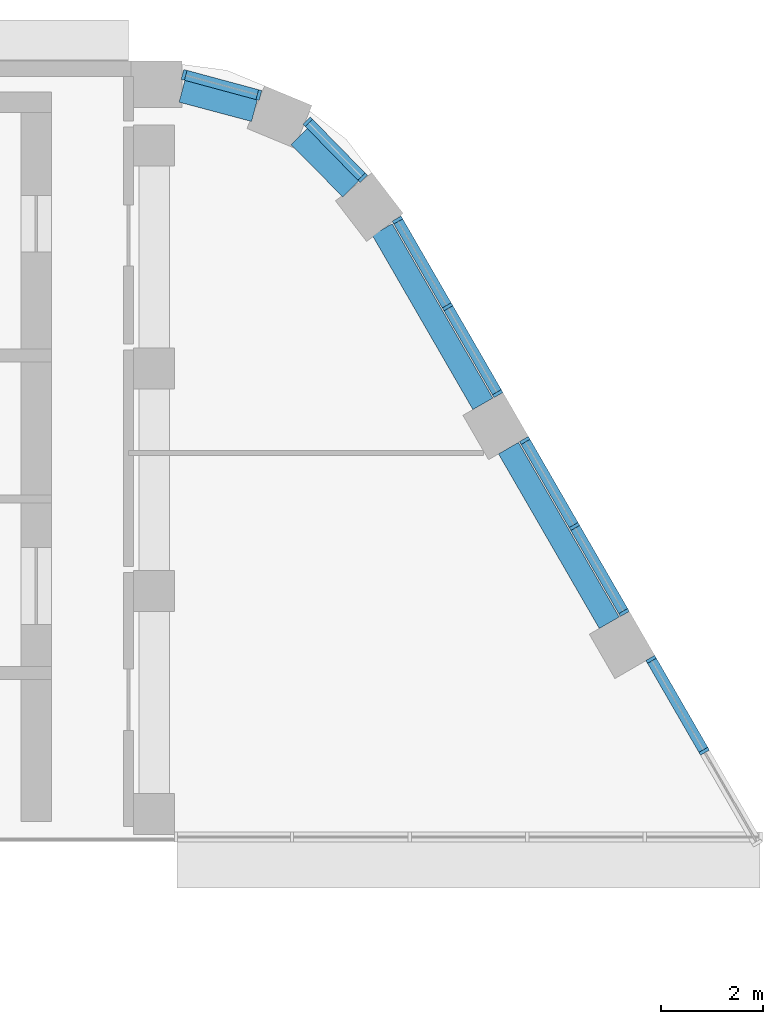
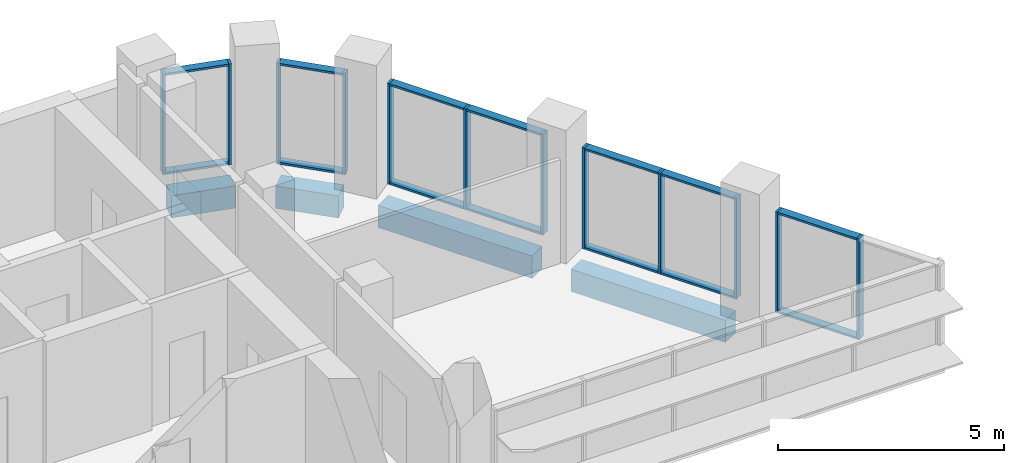
# One storey, part 6 of 14: 26 members, 4 beams, 5 elements without a shape of their own.
"""IFC4 building model written with IfcOpenShell, lengths in metres."""

from ifc_helpers import new_model, si_unit, direction, frame, origin, origin_2d, place, context, subcontext, project, spatial, rectangle, extrude, material, layer, layer_set, material_profile, profile_set, type_object, element, aggregate, save


model = new_model("IFC4")

# Units and contexts
model_context = context("Model", 3, precision=1e-05, world=origin(), true_north=direction((0.0, 1.0)))
body_context = subcontext(model_context, "Body", "Model", "MODEL_VIEW")
ifc_project = project(units=[si_unit("LENGTHUNIT", "METRE"), si_unit("AREAUNIT", "SQUARE_METRE"), si_unit("VOLUMEUNIT", "CUBIC_METRE"), si_unit("PLANEANGLEUNIT", "RADIAN"), si_unit("MASSUNIT", "GRAM", prefix="KILO")], contexts=[model_context])

# Site, building, storey
site_placement = place(None, origin())
site = spatial("IfcSite", under=ifc_project, at=site_placement, CompositionType="ELEMENT")
building_placement = place(site_placement, origin())
building = spatial("IfcBuilding", under=site, at=building_placement, Name="Nakaniwa Court", CompositionType="ELEMENT")
storey_placement = place(building_placement, frame((0.0, 0.0, 279.60009765625)))
storey = spatial("IfcBuildingStorey", under=building, at=storey_placement, Name="C03", CompositionType="ELEMENT", Elevation=279.60009765625)

# Beams
ifc_material_1 = material(Name="Concrete C80/100", Category="concrete")
ifc_material_profile_1 = material_profile(ifc_material_1, rectangle(XDim=0.449951171875, YDim=0.60009765625, at=origin_2d()), Name="Concrete C80/100 RC 450x600 spandrel beam")
ifc_profile_set_1 = profile_set([ifc_material_profile_1], Name="Concrete C80/100")
beam_type = type_object("IfcBeamType", Name="Concrete C80/100 RC 450x600 spandrel beam", PredefinedType="BEAM", material=ifc_profile_set_1)
beam_1_placement = place(storey_placement, frame((98.889404296875, 91.6826171875, -0.5751953125), z_axis=(-0.500021313302, 0.866013098194, 0.0), x_axis=(-0.866013098194, -0.500021313302, 0.0)))
element("IfcBeam", 1, at=beam_1_placement, inside=storey, type_object=beam_type, Name="SPANDREL BEAM", PredefinedType="BEAM", context=body_context, shape_type="SweptSolid", body=[
    extrude(rectangle(XDim=0.449951171875, YDim=0.60009765625, at=origin_2d()), origin(), (0.0, 0.0, 1.0), 3.936279296875),
])
beam_2_placement = place(storey_placement, frame((96.421142578125, 95.95751953125, -0.5751953125), z_axis=(-0.499958946799, 0.866049104564, 0.0), x_axis=(-0.866049104564, -0.499958946799, 0.0)))
element("IfcBeam", 2, at=beam_2_placement, inside=storey, type_object=beam_type, Name="SPANDREL BEAM", PredefinedType="BEAM", context=body_context, shape_type="SweptSolid", body=[
    extrude(rectangle(XDim=0.449951171875, YDim=0.60009765625, at=origin_2d()), origin(), (0.0, 0.0, 1.0), 3.931884765625),
])
beam_3_placement = place(storey_placement, frame((93.84716796875, 100.156494140625, -0.5751953125), z_axis=(-0.706004380105, 0.708207466265, 0.0), x_axis=(-0.708207466265, -0.706004380105, 0.0)))
element("IfcBeam", 3, at=beam_3_placement, inside=storey, type_object=beam_type, Name="SPANDREL BEAM", PredefinedType="BEAM", context=body_context, shape_type="SweptSolid", body=[
    extrude(rectangle(XDim=0.449951171875, YDim=0.60009765625, at=origin_2d()), origin(), (0.0, 0.0, 1.0), 1.440673828125),
])
beam_4_placement = place(storey_placement, frame((91.96044921875, 101.68994140625, -0.5751953125), z_axis=(-0.966301318257, 0.257413601689, 0.0), x_axis=(-0.257413601689, -0.966301318257, 0.0)))
element("IfcBeam", 4, at=beam_4_placement, inside=storey, type_object=beam_type, Name="SPANDREL BEAM", PredefinedType="BEAM", context=body_context, shape_type="SweptSolid", body=[
    extrude(rectangle(XDim=0.449951171875, YDim=0.60009765625, at=origin_2d()), origin(), (0.0, 0.0, 1.0), 1.46435546875),
])

# Curtain wall, members
ifc_material_2 = material(Name="Black anodised aluminium frame with dark low-E laminated double glazing", Category="aluminium")
ifc_layer = layer(ifc_material_2, 0.199951171875)
ifc_layer_set = layer_set([ifc_layer], Name="Black anodised aluminium frame with dark low-E laminated double glazing")
curtain_wall_type = type_object("IfcCurtainWallType", Name="Crown curtain wall", PredefinedType="NOTDEFINED", material=ifc_layer_set)
curtain_wall_1_placement = place(storey_placement, origin())
curtain_wall_1 = element("IfcCurtainWall", 5, at=curtain_wall_1_placement, inside=storey, type_object=curtain_wall_type, Name="C03 curtain wall CW4 18", PredefinedType="NOTDEFINED")
ifc_material_3 = material(Name="Black anodised aluminium extrusion", Category="aluminium")
ifc_material_profile_2 = material_profile(ifc_material_3, rectangle(XDim=0.199951171875, YDim=0.06494140625, at=origin_2d()), Name="Crown curtain wall mullion 65x200")
ifc_profile_set_2 = profile_set([ifc_material_profile_2], Name="Black anodised aluminium extrusion")
member_type_1 = type_object("IfcMemberType", Name="Crown curtain wall mullion 65x200", PredefinedType="MULLION", material=ifc_profile_set_2)
member_1_placement = place(storey_placement, frame((100.74267578125, 89.172607421875, 0.0), z_axis=(0.0, 0.0, 1.0), x_axis=(-0.866021000852, -0.500007626024, 0.0)))
member_1 = element("IfcMember", 6, at=member_1_placement, type_object=member_type_1, Name="CW4 mullion 2", PredefinedType="MULLION", context=body_context, shape_type="SweptSolid", body=[
    extrude(rectangle(XDim=0.199951171875, YDim=0.06494140625, at=origin_2d()), origin(), (0.0, 0.0, 1.0), 2.724853515625),
])
member_2_placement = place(storey_placement, frame((99.70654296875, 90.967041015625, 0.0), z_axis=(0.0, 0.0, 1.0), x_axis=(-0.866021000852, -0.500007626024, 0.0)))
member_2 = element("IfcMember", 7, at=member_2_placement, type_object=member_type_1, Name="CW4 mullion 3", PredefinedType="MULLION", context=body_context, shape_type="SweptSolid", body=[
    extrude(rectangle(XDim=0.199951171875, YDim=0.06494140625, at=origin_2d()), origin(), (0.0, 0.0, 1.0), 2.724853515625),
])

curtain_wall_2_placement = place(storey_placement, origin())
curtain_wall_2 = element("IfcCurtainWall", 8, at=curtain_wall_2_placement, inside=storey, type_object=curtain_wall_type, Name="C03 curtain wall CW4 19", PredefinedType="NOTDEFINED")
member_3_placement = place(storey_placement, frame((99.17822265625, 91.88232421875, 0.0), z_axis=(0.0, 0.0, 1.0), x_axis=(-0.866033174523, -0.499986540445, 0.0)))
member_3 = element("IfcMember", 9, at=member_3_placement, type_object=member_type_1, Name="CW4 mullion 1", PredefinedType="MULLION", context=body_context, shape_type="SweptSolid", body=[
    extrude(rectangle(XDim=0.199951171875, YDim=0.06494140625, at=origin_2d()), origin(), (0.0, 0.0, 1.0), 2.724853515625),
])
member_4_placement = place(storey_placement, frame((98.208251953125, 93.562255859375, 0.0), z_axis=(0.0, 0.0, 1.0), x_axis=(-0.866033174523, -0.499986540445, 0.0)))
member_4 = element("IfcMember", 10, at=member_4_placement, type_object=member_type_1, Name="CW4 mullion 2", PredefinedType="MULLION", context=body_context, shape_type="SweptSolid", body=[
    extrude(rectangle(XDim=0.199951171875, YDim=0.06494140625, at=origin_2d()), origin(), (0.0, 0.0, 1.0), 2.724853515625),
])
member_5_placement = place(storey_placement, frame((97.238525390625, 95.241943359375, 0.0), z_axis=(0.0, 0.0, 1.0), x_axis=(-0.866033174523, -0.499986540445, 0.0)))
member_5 = element("IfcMember", 11, at=member_5_placement, type_object=member_type_1, Name="CW4 mullion 3", PredefinedType="MULLION", context=body_context, shape_type="SweptSolid", body=[
    extrude(rectangle(XDim=0.199951171875, YDim=0.06494140625, at=origin_2d()), origin(), (0.0, 0.0, 1.0), 2.724853515625),
])

curtain_wall_3_placement = place(storey_placement, origin())
curtain_wall_3 = element("IfcCurtainWall", 12, at=curtain_wall_3_placement, inside=storey, type_object=curtain_wall_type, Name="C03 curtain wall CW4 20", PredefinedType="NOTDEFINED")
member_6_placement = place(storey_placement, frame((96.7099609375, 96.1572265625, 0.0), z_axis=(0.0, 0.0, 1.0), x_axis=(-0.866027822975, -0.499995809815, 0.0)))
member_6 = element("IfcMember", 13, at=member_6_placement, type_object=member_type_1, Name="CW4 mullion 1", PredefinedType="MULLION", context=body_context, shape_type="SweptSolid", body=[
    extrude(rectangle(XDim=0.199951171875, YDim=0.06494140625, at=origin_2d()), origin(), (0.0, 0.0, 1.0), 2.724853515625),
])
member_7_placement = place(storey_placement, frame((95.7314453125, 97.852294921875, 0.0), z_axis=(0.0, 0.0, 1.0), x_axis=(-0.866027822975, -0.499995809815, 0.0)))
member_7 = element("IfcMember", 14, at=member_7_placement, type_object=member_type_1, Name="CW4 mullion 2", PredefinedType="MULLION", context=body_context, shape_type="SweptSolid", body=[
    extrude(rectangle(XDim=0.199951171875, YDim=0.06494140625, at=origin_2d()), origin(), (0.0, 0.0, 1.0), 2.724853515625),
])
member_8_placement = place(storey_placement, frame((94.7529296875, 99.54736328125, 0.0), z_axis=(0.0, 0.0, 1.0), x_axis=(-0.866027822975, -0.499995809815, 0.0)))
member_8 = element("IfcMember", 15, at=member_8_placement, type_object=member_type_1, Name="CW4 mullion 3", PredefinedType="MULLION", context=body_context, shape_type="SweptSolid", body=[
    extrude(rectangle(XDim=0.199951171875, YDim=0.06494140625, at=origin_2d()), origin(), (0.0, 0.0, 1.0), 2.724853515625),
])

curtain_wall_4_placement = place(storey_placement, origin())
curtain_wall_4 = element("IfcCurtainWall", 16, at=curtain_wall_4_placement, inside=storey, type_object=curtain_wall_type, Name="C03 curtain wall CW4 21", PredefinedType="NOTDEFINED")
member_9_placement = place(storey_placement, frame((94.07275390625, 100.373046875, 0.0), z_axis=(0.0, 0.0, 1.0), x_axis=(-0.714886390238, -0.699240623143, 0.0)))
member_9 = element("IfcMember", 17, at=member_9_placement, type_object=member_type_1, Name="CW4 mullion 1", PredefinedType="MULLION", context=body_context, shape_type="SweptSolid", body=[
    extrude(rectangle(XDim=0.199951171875, YDim=0.06494140625, at=origin_2d()), origin(), (0.0, 0.0, 1.0), 2.724853515625),
])
member_10_placement = place(storey_placement, frame((93.000732421875, 101.46875, 0.0), z_axis=(0.0, 0.0, 1.0), x_axis=(-0.714886390238, -0.699240623143, 0.0)))
member_10 = element("IfcMember", 18, at=member_10_placement, type_object=member_type_1, Name="CW4 mullion 2", PredefinedType="MULLION", context=body_context, shape_type="SweptSolid", body=[
    extrude(rectangle(XDim=0.199951171875, YDim=0.06494140625, at=origin_2d()), origin(), (0.0, 0.0, 1.0), 2.724853515625),
])

curtain_wall_5_placement = place(storey_placement, origin())
curtain_wall_5 = element("IfcCurtainWall", 19, at=curtain_wall_5_placement, inside=storey, type_object=curtain_wall_type, Name="C03 curtain wall CW4 22", PredefinedType="NOTDEFINED")
member_11_placement = place(storey_placement, frame((92.046142578125, 101.98779296875, 0.0), z_axis=(0.0, 0.0, 1.0), x_axis=(-0.26086432797, -0.965375472235, 0.0)))
member_11 = element("IfcMember", 20, at=member_11_placement, type_object=member_type_1, Name="CW4 mullion 1", PredefinedType="MULLION", context=body_context, shape_type="SweptSolid", body=[
    extrude(rectangle(XDim=0.199951171875, YDim=0.06494140625, at=origin_2d()), origin(), (0.0, 0.0, 1.0), 2.724853515625),
])
member_12_placement = place(storey_placement, frame((90.585693359375, 102.38232421875, 0.0), z_axis=(0.0, 0.0, 1.0), x_axis=(-0.26086432797, -0.965375472235, 0.0)))
member_12 = element("IfcMember", 21, at=member_12_placement, type_object=member_type_1, Name="CW4 mullion 2", PredefinedType="MULLION", context=body_context, shape_type="SweptSolid", body=[
    extrude(rectangle(XDim=0.199951171875, YDim=0.06494140625, at=origin_2d()), origin(), (0.0, 0.0, 1.0), 2.724853515625),
])

# Member
ifc_material_profile_3 = material_profile(ifc_material_3, rectangle(XDim=0.199951171875, YDim=0.054931640625, at=origin_2d()), Name="Crown curtain wall transom 55x200")
ifc_profile_set_3 = profile_set([ifc_material_profile_3], Name="Black anodised aluminium extrusion")
member_type_2 = type_object("IfcMemberType", Name="Crown curtain wall transom 55x200", PredefinedType="USERDEFINED", material=ifc_profile_set_3)
member_13_placement = place(storey_placement, frame((100.7265625, 89.20068359375, 0.02734375), z_axis=(-0.500024272756, 0.866011389449, 0.0), x_axis=(-0.866011389449, -0.500024272756, 0.0)))
member_13 = element("IfcMember", 22, at=member_13_placement, type_object=member_type_2, Name="CW4 transom 2.1", ObjectType="TRANSOM", PredefinedType="USERDEFINED", context=body_context, shape_type="SweptSolid", body=[
    extrude(rectangle(XDim=0.199951171875, YDim=0.054931640625, at=origin_2d()), origin(), (0.0, 0.0, 1.0), 2.00732421875),
])

member_14_placement = place(storey_placement, frame((100.7265625, 89.20068359375, 2.697509765625), z_axis=(-0.500024272756, 0.866011389449, 0.0), x_axis=(-0.866011389449, -0.500024272756, 0.0)))
member_14 = element("IfcMember", 23, at=member_14_placement, type_object=member_type_2, Name="CW4 transom 2.2", ObjectType="TRANSOM", PredefinedType="USERDEFINED", context=body_context, shape_type="SweptSolid", body=[
    extrude(rectangle(XDim=0.199951171875, YDim=0.054931640625, at=origin_2d()), origin(), (0.0, 0.0, 1.0), 2.00732421875),
])

aggregate(curtain_wall_1, [member_1, member_2, member_13, member_14])

member_15_placement = place(storey_placement, frame((99.161865234375, 91.910400390625, 0.02734375), z_axis=(-0.499962952589, 0.86604679206, 0.0), x_axis=(-0.86604679206, -0.499962952589, 0.0)))
member_15 = element("IfcMember", 24, at=member_15_placement, type_object=member_type_2, Name="CW4 transom 1.1", ObjectType="TRANSOM", PredefinedType="USERDEFINED", context=body_context, shape_type="SweptSolid", body=[
    extrude(rectangle(XDim=0.199951171875, YDim=0.054931640625, at=origin_2d()), origin(), (0.0, 0.0, 1.0), 1.874755859375),
])

member_16_placement = place(storey_placement, frame((99.161865234375, 91.910400390625, 2.697509765625), z_axis=(-0.499962952589, 0.86604679206, 0.0), x_axis=(-0.86604679206, -0.499962952589, 0.0)))
member_16 = element("IfcMember", 25, at=member_16_placement, type_object=member_type_2, Name="CW4 transom 1.2", ObjectType="TRANSOM", PredefinedType="USERDEFINED", context=body_context, shape_type="SweptSolid", body=[
    extrude(rectangle(XDim=0.199951171875, YDim=0.054931640625, at=origin_2d()), origin(), (0.0, 0.0, 1.0), 1.874755859375),
])

member_17_placement = place(storey_placement, frame((98.192138671875, 93.59033203125, 0.02734375), z_axis=(-0.499962952589, 0.86604679206, 0.0), x_axis=(-0.86604679206, -0.499962952589, 0.0)))
member_17 = element("IfcMember", 26, at=member_17_placement, type_object=member_type_2, Name="CW4 transom 2.1", ObjectType="TRANSOM", PredefinedType="USERDEFINED", context=body_context, shape_type="SweptSolid", body=[
    extrude(rectangle(XDim=0.199951171875, YDim=0.054931640625, at=origin_2d()), origin(), (0.0, 0.0, 1.0), 1.874755859375),
])

member_18_placement = place(storey_placement, frame((98.192138671875, 93.59033203125, 2.697509765625), z_axis=(-0.499962952589, 0.86604679206, 0.0), x_axis=(-0.86604679206, -0.499962952589, 0.0)))
member_18 = element("IfcMember", 27, at=member_18_placement, type_object=member_type_2, Name="CW4 transom 2.2", ObjectType="TRANSOM", PredefinedType="USERDEFINED", context=body_context, shape_type="SweptSolid", body=[
    extrude(rectangle(XDim=0.199951171875, YDim=0.054931640625, at=origin_2d()), origin(), (0.0, 0.0, 1.0), 1.874755859375),
])

aggregate(curtain_wall_2, [member_3, member_4, member_5, member_15, member_16, member_17, member_18])

member_19_placement = place(storey_placement, frame((96.69384765625, 96.185302734375, 0.02734375), z_axis=(-0.499927200086, 0.866067430755, 0.0), x_axis=(-0.866067430755, -0.499927200086, 0.0)))
member_19 = element("IfcMember", 28, at=member_19_placement, type_object=member_type_2, Name="CW4 transom 1.1", ObjectType="TRANSOM", PredefinedType="USERDEFINED", context=body_context, shape_type="SweptSolid", body=[
    extrude(rectangle(XDim=0.199951171875, YDim=0.054931640625, at=origin_2d()), origin(), (0.0, 0.0, 1.0), 1.892333984375),
])

member_20_placement = place(storey_placement, frame((96.69384765625, 96.185302734375, 2.697509765625), z_axis=(-0.499927200086, 0.866067430755, 0.0), x_axis=(-0.866067430755, -0.499927200086, 0.0)))
member_20 = element("IfcMember", 29, at=member_20_placement, type_object=member_type_2, Name="CW4 transom 1.2", ObjectType="TRANSOM", PredefinedType="USERDEFINED", context=body_context, shape_type="SweptSolid", body=[
    extrude(rectangle(XDim=0.199951171875, YDim=0.054931640625, at=origin_2d()), origin(), (0.0, 0.0, 1.0), 1.892333984375),
])

member_21_placement = place(storey_placement, frame((95.715087890625, 97.88037109375, 0.02734375), z_axis=(-0.499983064336, 0.866035181374, 0.0), x_axis=(-0.866035181374, -0.499983064336, 0.0)))
member_21 = element("IfcMember", 30, at=member_21_placement, type_object=member_type_2, Name="CW4 transom 2.1", ObjectType="TRANSOM", PredefinedType="USERDEFINED", context=body_context, shape_type="SweptSolid", body=[
    extrude(rectangle(XDim=0.199951171875, YDim=0.054931640625, at=origin_2d()), origin(), (0.0, 0.0, 1.0), 1.89208984375),
])

member_22_placement = place(storey_placement, frame((95.715087890625, 97.88037109375, 2.697509765625), z_axis=(-0.499983064336, 0.866035181374, 0.0), x_axis=(-0.866035181374, -0.499983064336, 0.0)))
member_22 = element("IfcMember", 31, at=member_22_placement, type_object=member_type_2, Name="CW4 transom 2.2", ObjectType="TRANSOM", PredefinedType="USERDEFINED", context=body_context, shape_type="SweptSolid", body=[
    extrude(rectangle(XDim=0.199951171875, YDim=0.054931640625, at=origin_2d()), origin(), (0.0, 0.0, 1.0), 1.89208984375),
])

aggregate(curtain_wall_3, [member_6, member_7, member_8, member_19, member_20, member_21, member_22])

member_23_placement = place(storey_placement, frame((94.050048828125, 100.396240234375, 0.02734375), z_axis=(-0.699331103253, 0.71479787914, 0.0), x_axis=(-0.71479787914, -0.699331103253, 0.0)))
member_23 = element("IfcMember", 32, at=member_23_placement, type_object=member_type_2, Name="CW4 transom 1.1", ObjectType="TRANSOM", PredefinedType="USERDEFINED", context=body_context, shape_type="SweptSolid", body=[
    extrude(rectangle(XDim=0.199951171875, YDim=0.054931640625, at=origin_2d()), origin(), (0.0, 0.0, 1.0), 1.468017578125),
])

member_24_placement = place(storey_placement, frame((94.050048828125, 100.396240234375, 2.697509765625), z_axis=(-0.699331103253, 0.71479787914, 0.0), x_axis=(-0.71479787914, -0.699331103253, 0.0)))
member_24 = element("IfcMember", 33, at=member_24_placement, type_object=member_type_2, Name="CW4 transom 1.2", ObjectType="TRANSOM", PredefinedType="USERDEFINED", context=body_context, shape_type="SweptSolid", body=[
    extrude(rectangle(XDim=0.199951171875, YDim=0.054931640625, at=origin_2d()), origin(), (0.0, 0.0, 1.0), 1.468017578125),
])

aggregate(curtain_wall_4, [member_9, member_10, member_23, member_24])

member_25_placement = place(storey_placement, frame((92.014892578125, 101.996337890625, 0.02734375), z_axis=(-0.965376018657, 0.260862305828, 0.0), x_axis=(-0.260862305828, -0.965376018657, 0.0)))
member_25 = element("IfcMember", 34, at=member_25_placement, type_object=member_type_2, Name="CW4 transom 1.1", ObjectType="TRANSOM", PredefinedType="USERDEFINED", context=body_context, shape_type="SweptSolid", body=[
    extrude(rectangle(XDim=0.199951171875, YDim=0.054931640625, at=origin_2d()), origin(), (0.0, 0.0, 1.0), 1.44775390625),
])

member_26_placement = place(storey_placement, frame((92.014892578125, 101.996337890625, 2.697509765625), z_axis=(-0.965376018657, 0.260862305828, 0.0), x_axis=(-0.260862305828, -0.965376018657, 0.0)))
member_26 = element("IfcMember", 35, at=member_26_placement, type_object=member_type_2, Name="CW4 transom 1.2", ObjectType="TRANSOM", PredefinedType="USERDEFINED", context=body_context, shape_type="SweptSolid", body=[
    extrude(rectangle(XDim=0.199951171875, YDim=0.054931640625, at=origin_2d()), origin(), (0.0, 0.0, 1.0), 1.44775390625),
])

aggregate(curtain_wall_5, [member_11, member_12, member_25, member_26])

save(model, "model.ifc")
